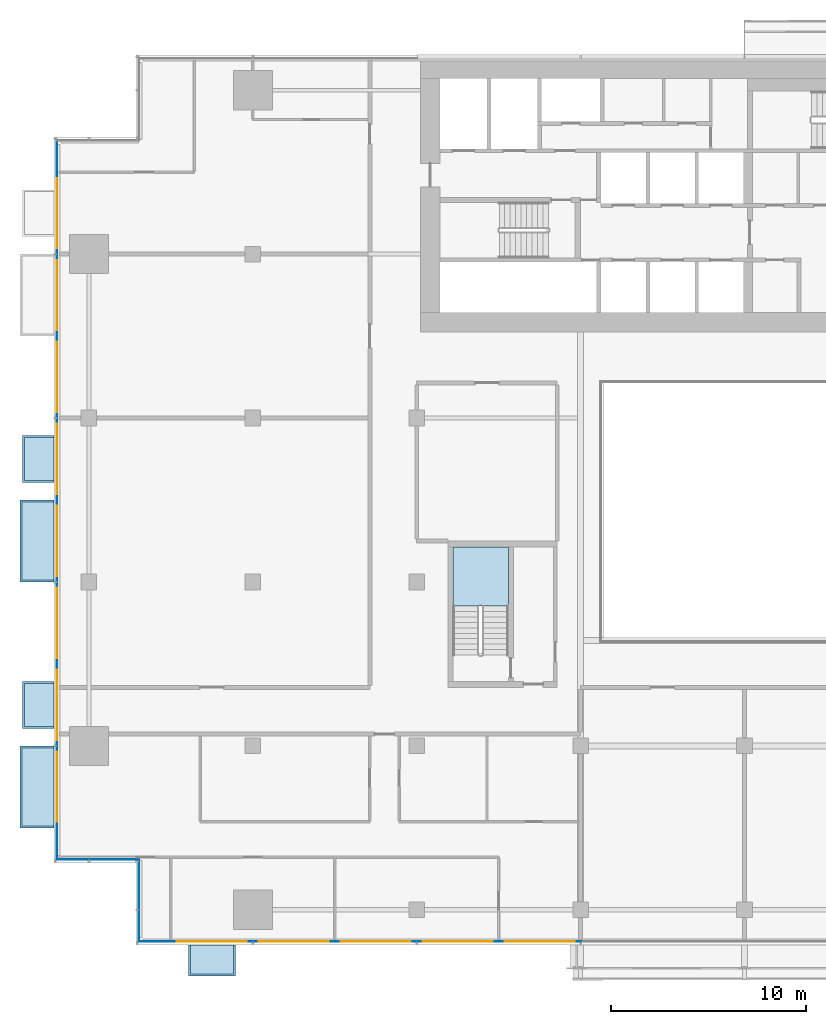
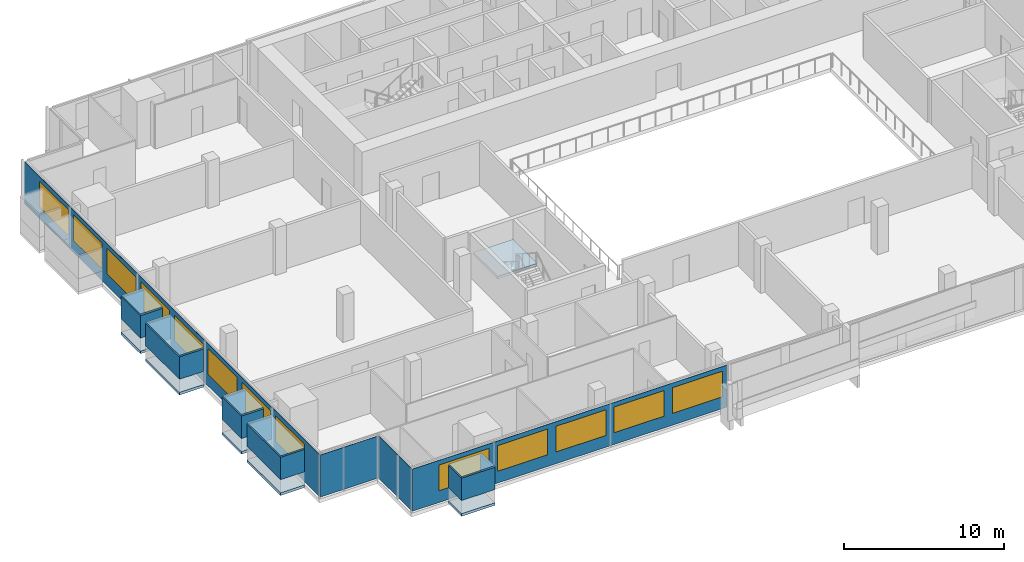
# One storey, part 14 of 26: 14 plates, 13 windows, 6 slabs, 13 openings, 5 elements without a shape of their own.
"""IFC4 building model written with IfcOpenShell, lengths in metres."""

from ifc_helpers import new_model, si_unit, direction, frame, frame_2d, origin, place, context, subcontext, project, spatial, polyline, rectangle, outline, extrude, material, layer, layer_set, type_object, element, fill, aggregate, save


model = new_model("IFC4")

# Units and contexts
model_context = context("Model", 3, precision=1e-05, world=origin(), true_north=direction((0.0, 1.0)))
body_context = subcontext(model_context, "Body", "Model", "MODEL_VIEW")
ifc_project = project(units=[si_unit("LENGTHUNIT", "METRE"), si_unit("AREAUNIT", "SQUARE_METRE"), si_unit("VOLUMEUNIT", "CUBIC_METRE"), si_unit("PLANEANGLEUNIT", "RADIAN"), si_unit("MASSUNIT", "GRAM", prefix="KILO")], contexts=[model_context])

# Site, building, storey
site_placement = place(None, origin())
site = spatial("IfcSite", under=ifc_project, at=site_placement, CompositionType="ELEMENT")
building_placement = place(site_placement, origin())
building = spatial("IfcBuilding", under=site, at=building_placement, Name="Saffron Gate Tower", CompositionType="ELEMENT")
storey_placement = place(building_placement, frame((0.0, 0.0, 98.85009765625)))
storey = spatial("IfcBuildingStorey", under=building, at=storey_placement, Name="L22", CompositionType="ELEMENT", Elevation=98.85009765625)

# Curtain wall, plate, openings, windows
ifc_material_1 = material(Name="Aluminium, bronze anodised", Category="aluminium")
curtain_wall_type_1 = type_object("IfcCurtainWallType", Name="CWS1 curtain wall front facade", PredefinedType="NOTDEFINED", material=ifc_material_1)
curtain_wall_1_placement = place(storey_placement, origin())
curtain_wall_1 = element("IfcCurtainWall", 1, at=curtain_wall_1_placement, inside=storey, type_object=curtain_wall_type_1, Name="CWS1 run 1", PredefinedType="NOTDEFINED")
ifc_material_2 = material(Name="Fritted bronze-tinted laminated glass", Category="glass")
ifc_layer_1 = layer(ifc_material_2, 0.028076171875)
ifc_layer_set_1 = layer_set([ifc_layer_1], Name="CWS1 fixed glass")
plate_type_1 = type_object("IfcPlateType", Name="CWS1 fixed glass", PredefinedType="CURTAIN_PANEL", material=ifc_layer_set_1)
plate_1_placement = place(storey_placement, frame((52.387939453125, 30.174072265625, 0.0), z_axis=(0.0, 0.0, 1.0), x_axis=(1.0, 0.0, 0.0)))
plate_1 = element("IfcPlate", 2, at=plate_1_placement, type_object=plate_type_1, Name="CWS1 glass panel", PredefinedType="CURTAIN_PANEL", context=body_context, shape_type="SweptSolid", body=[
    extrude(rectangle(XDim=22.64208984375, YDim=0.028076171875, at=frame_2d((11.321044921875, 0.0))), origin(), (0.0, 0.0, 1.0), 3.199951171875),
])
opening_1_placement = place(plate_1_placement, frame((1.912109375, 0.0, 0.89990234375)))
opening_1 = element("IfcOpeningElement", 3, at=opening_1_placement, cuts=plate_1, Name="Opening W1", PredefinedType="OPENING", context=body_context, shape_type="SweptSolid", body=[
    extrude(rectangle(XDim=3.60009765625, YDim=1.949951171875, at=frame_2d((1.800048828125, 0.97509765625))), frame((0.0, 0.02392578125, 0.0), z_axis=(0.0, -1.0, 0.0), x_axis=(1.0, 0.0, 0.0)), (0.0, 0.0, 1.0), 0.048095703125),
])
opening_2_placement = place(plate_1_placement, frame((6.112060546875, 0.0, 0.89990234375)))
opening_2 = element("IfcOpeningElement", 4, at=opening_2_placement, cuts=plate_1, Name="Opening W1", PredefinedType="OPENING", context=body_context, shape_type="SweptSolid", body=[
    extrude(rectangle(XDim=3.60009765625, YDim=1.949951171875, at=frame_2d((1.800048828125, 0.97509765625))), frame((0.0, 0.02392578125, 0.0), z_axis=(0.0, -1.0, 0.0), x_axis=(1.0, 0.0, 0.0)), (0.0, 0.0, 1.0), 0.048095703125),
])
opening_3_placement = place(plate_1_placement, frame((10.31201171875, 0.0, 0.89990234375)))
opening_3 = element("IfcOpeningElement", 5, at=opening_3_placement, cuts=plate_1, Name="Opening W1", PredefinedType="OPENING", context=body_context, shape_type="SweptSolid", body=[
    extrude(rectangle(XDim=3.60009765625, YDim=1.949951171875, at=frame_2d((1.800048828125, 0.97509765625))), frame((0.0, 0.02392578125, 0.0), z_axis=(0.0, -1.0, 0.0), x_axis=(1.0, 0.0, 0.0)), (0.0, 0.0, 1.0), 0.048095703125),
])
opening_4_placement = place(plate_1_placement, frame((14.511962890625, 0.0, 0.89990234375)))
opening_4 = element("IfcOpeningElement", 6, at=opening_4_placement, cuts=plate_1, Name="Opening W1", PredefinedType="OPENING", context=body_context, shape_type="SweptSolid", body=[
    extrude(rectangle(XDim=3.60009765625, YDim=1.949951171875, at=frame_2d((1.800048828125, 0.97509765625))), frame((0.0, 0.02392578125, 0.0), z_axis=(0.0, -1.0, 0.0), x_axis=(1.0, 0.0, 0.0)), (0.0, 0.0, 1.0), 0.048095703125),
])
opening_5_placement = place(plate_1_placement, frame((18.7119140625, 0.0, 0.89990234375)))
opening_5 = element("IfcOpeningElement", 7, at=opening_5_placement, cuts=plate_1, Name="Opening W1", PredefinedType="OPENING", context=body_context, shape_type="SweptSolid", body=[
    extrude(rectangle(XDim=3.60009765625, YDim=1.949951171875, at=frame_2d((1.800048828125, 0.97509765625))), frame((0.0, 0.02392578125, 0.0), z_axis=(0.0, -1.0, 0.0), x_axis=(1.0, 0.0, 0.0)), (0.0, 0.0, 1.0), 0.048095703125),
])
ifc_material_3 = material(Name="Fritted bronze-tinted laminated glass in bronze frame", Category="glass")
ifc_layer_2 = layer(ifc_material_3, 0.06005859375)
ifc_layer_set_2 = layer_set([ifc_layer_2], Name="W1 operable panel 3600x1950")
window_type = type_object("IfcWindowType", Name="W1 operable panel 3600x1950", PartitioningType="DOUBLE_PANEL_HORIZONTAL", PredefinedType="WINDOW", material=ifc_layer_set_2)
window_1_placement = place(opening_1_placement, origin())
window_1 = element("IfcWindow", 8, at=window_1_placement, type_object=window_type, Name="W1 operable panel", OverallHeight=1.949951171875, OverallWidth=3.60009765625, PartitioningType="SINGLE_PANEL", PredefinedType="WINDOW", context=body_context, shape_type="SweptSolid", body=[
    extrude(rectangle(XDim=3.60009765625, YDim=1.949951171875, at=frame_2d((1.800048828125, 0.97509765625))), frame((0.0, 0.013671875, 0.0), z_axis=(0.0, -1.0, 0.0), x_axis=(1.0, 0.0, 0.0)), (0.0, 0.0, 1.0), 0.027587890625),
])
fill(opening_1, window_1)
window_2_placement = place(opening_2_placement, origin())
window_2 = element("IfcWindow", 9, at=window_2_placement, type_object=window_type, Name="W1 operable panel", OverallHeight=1.949951171875, OverallWidth=3.60009765625, PartitioningType="SINGLE_PANEL", PredefinedType="WINDOW", context=body_context, shape_type="SweptSolid", body=[
    extrude(rectangle(XDim=3.60009765625, YDim=1.949951171875, at=frame_2d((1.800048828125, 0.97509765625))), frame((0.0, 0.013671875, 0.0), z_axis=(0.0, -1.0, 0.0), x_axis=(1.0, 0.0, 0.0)), (0.0, 0.0, 1.0), 0.027587890625),
])
fill(opening_2, window_2)
window_3_placement = place(opening_3_placement, origin())
window_3 = element("IfcWindow", 10, at=window_3_placement, type_object=window_type, Name="W1 operable panel", OverallHeight=1.949951171875, OverallWidth=3.60009765625, PartitioningType="SINGLE_PANEL", PredefinedType="WINDOW", context=body_context, shape_type="SweptSolid", body=[
    extrude(rectangle(XDim=3.60009765625, YDim=1.949951171875, at=frame_2d((1.800048828125, 0.97509765625))), frame((0.0, 0.013671875, 0.0), z_axis=(0.0, -1.0, 0.0), x_axis=(1.0, 0.0, 0.0)), (0.0, 0.0, 1.0), 0.027587890625),
])
fill(opening_3, window_3)
window_4_placement = place(opening_4_placement, origin())
window_4 = element("IfcWindow", 11, at=window_4_placement, type_object=window_type, Name="W1 operable panel", OverallHeight=1.949951171875, OverallWidth=3.60009765625, PartitioningType="SINGLE_PANEL", PredefinedType="WINDOW", context=body_context, shape_type="SweptSolid", body=[
    extrude(rectangle(XDim=3.60009765625, YDim=1.949951171875, at=frame_2d((1.800048828125, 0.97509765625))), frame((0.0, 0.013671875, 0.0), z_axis=(0.0, -1.0, 0.0), x_axis=(1.0, 0.0, 0.0)), (0.0, 0.0, 1.0), 0.027587890625),
])
fill(opening_4, window_4)
window_5_placement = place(opening_5_placement, origin())
window_5 = element("IfcWindow", 12, at=window_5_placement, type_object=window_type, Name="W1 operable panel", OverallHeight=1.949951171875, OverallWidth=3.60009765625, PartitioningType="SINGLE_PANEL", PredefinedType="WINDOW", context=body_context, shape_type="SweptSolid", body=[
    extrude(rectangle(XDim=3.60009765625, YDim=1.949951171875, at=frame_2d((1.800048828125, 0.97509765625))), frame((0.0, 0.013671875, 0.0), z_axis=(0.0, -1.0, 0.0), x_axis=(1.0, 0.0, 0.0)), (0.0, 0.0, 1.0), 0.027587890625),
])
fill(opening_5, window_5)
aggregate(curtain_wall_1, [plate_1, window_1, window_2, window_3, window_4, window_5])

curtain_wall_type_2 = type_object("IfcCurtainWallType", Name="CWS2 curtain wall side facades", PredefinedType="NOTDEFINED", material=ifc_material_1)
curtain_wall_2_placement = place(storey_placement, origin())
curtain_wall_2 = element("IfcCurtainWall", 13, at=curtain_wall_2_placement, inside=storey, type_object=curtain_wall_type_2, Name="CWS2 run 10", PredefinedType="NOTDEFINED")
ifc_layer_3 = layer(ifc_material_2, 0.028076171875)
ifc_layer_set_3 = layer_set([ifc_layer_3], Name="CWS2 fixed glass")
plate_type_2 = type_object("IfcPlateType", Name="CWS2 fixed glass", PredefinedType="CURTAIN_PANEL", material=ifc_layer_set_3)
plate_2_placement = place(storey_placement, frame((48.174072265625, 71.2119140625, 0.0), z_axis=(0.0, 0.0, 1.0), x_axis=(0.0, -1.0, 0.0)))
plate_2 = element("IfcPlate", 14, at=plate_2_placement, type_object=plate_type_2, Name="CWS2 glass panel", PredefinedType="CURTAIN_PANEL", context=body_context, shape_type="SweptSolid", body=[
    extrude(rectangle(XDim=36.823974609375, YDim=0.028076171875, at=frame_2d((18.412109375, 0.0))), origin(), (0.0, 0.0, 1.0), 3.199951171875),
])
opening_6_placement = place(plate_2_placement, frame((1.912109375, 0.0, 0.89990234375)))
opening_6 = element("IfcOpeningElement", 15, at=opening_6_placement, cuts=plate_2, Name="Opening W1", PredefinedType="OPENING", context=body_context, shape_type="SweptSolid", body=[
    extrude(rectangle(XDim=3.60009765625, YDim=1.949951171875, at=frame_2d((1.800048828125, 0.97509765625))), frame((0.0, 0.02392578125, 0.0), z_axis=(0.0, -1.0, 0.0), x_axis=(1.0, 0.0, 0.0)), (0.0, 0.0, 1.0), 0.048095703125),
])
opening_7_placement = place(plate_2_placement, frame((6.112060546875, 0.0, 0.89990234375)))
opening_7 = element("IfcOpeningElement", 16, at=opening_7_placement, cuts=plate_2, Name="Opening W1", PredefinedType="OPENING", context=body_context, shape_type="SweptSolid", body=[
    extrude(rectangle(XDim=3.60009765625, YDim=1.949951171875, at=frame_2d((1.800048828125, 0.97509765625))), frame((0.0, 0.02392578125, 0.0), z_axis=(0.0, -1.0, 0.0), x_axis=(1.0, 0.0, 0.0)), (0.0, 0.0, 1.0), 0.048095703125),
])
opening_8_placement = place(plate_2_placement, frame((10.31201171875, 0.0, 0.89990234375)))
opening_8 = element("IfcOpeningElement", 17, at=opening_8_placement, cuts=plate_2, Name="Opening W1", PredefinedType="OPENING", context=body_context, shape_type="SweptSolid", body=[
    extrude(rectangle(XDim=3.60009765625, YDim=1.949951171875, at=frame_2d((1.800048828125, 0.97509765625))), frame((0.0, 0.02392578125, 0.0), z_axis=(0.0, -1.0, 0.0), x_axis=(1.0, 0.0, 0.0)), (0.0, 0.0, 1.0), 0.048095703125),
])
opening_9_placement = place(plate_2_placement, frame((14.511962890625, 0.0, 0.89990234375)))
opening_9 = element("IfcOpeningElement", 18, at=opening_9_placement, cuts=plate_2, Name="Opening W1", PredefinedType="OPENING", context=body_context, shape_type="SweptSolid", body=[
    extrude(rectangle(XDim=3.60009765625, YDim=1.949951171875, at=frame_2d((1.800048828125, 0.97509765625))), frame((0.0, 0.02392578125, 0.0), z_axis=(0.0, -1.0, 0.0), x_axis=(1.0, 0.0, 0.0)), (0.0, 0.0, 1.0), 0.048095703125),
])
opening_10_placement = place(plate_2_placement, frame((18.7119140625, 0.0, 0.89990234375)))
opening_10 = element("IfcOpeningElement", 19, at=opening_10_placement, cuts=plate_2, Name="Opening W1", PredefinedType="OPENING", context=body_context, shape_type="SweptSolid", body=[
    extrude(rectangle(XDim=3.60009765625, YDim=1.949951171875, at=frame_2d((1.800048828125, 0.97509765625))), frame((0.0, 0.02392578125, 0.0), z_axis=(0.0, -1.0, 0.0), x_axis=(1.0, 0.0, 0.0)), (0.0, 0.0, 1.0), 0.048095703125),
])
opening_11_placement = place(plate_2_placement, frame((22.912109375, 0.0, 0.89990234375)))
opening_11 = element("IfcOpeningElement", 20, at=opening_11_placement, cuts=plate_2, Name="Opening W1", PredefinedType="OPENING", context=body_context, shape_type="SweptSolid", body=[
    extrude(rectangle(XDim=3.60009765625, YDim=1.949951171875, at=frame_2d((1.800048828125, 0.97509765625))), frame((0.0, 0.02392578125, 0.0), z_axis=(0.0, -1.0, 0.0), x_axis=(1.0, 0.0, 0.0)), (0.0, 0.0, 1.0), 0.048095703125),
])
opening_12_placement = place(plate_2_placement, frame((27.112060546875, 0.0, 0.89990234375)))
opening_12 = element("IfcOpeningElement", 21, at=opening_12_placement, cuts=plate_2, Name="Opening W1", PredefinedType="OPENING", context=body_context, shape_type="SweptSolid", body=[
    extrude(rectangle(XDim=3.60009765625, YDim=1.949951171875, at=frame_2d((1.800048828125, 0.97509765625))), frame((0.0, 0.02392578125, 0.0), z_axis=(0.0, -1.0, 0.0), x_axis=(1.0, 0.0, 0.0)), (0.0, 0.0, 1.0), 0.048095703125),
])
opening_13_placement = place(plate_2_placement, frame((31.31201171875, 0.0, 0.89990234375)))
opening_13 = element("IfcOpeningElement", 22, at=opening_13_placement, cuts=plate_2, Name="Opening W1", PredefinedType="OPENING", context=body_context, shape_type="SweptSolid", body=[
    extrude(rectangle(XDim=3.60009765625, YDim=1.949951171875, at=frame_2d((1.800048828125, 0.97509765625))), frame((0.0, 0.02392578125, 0.0), z_axis=(0.0, -1.0, 0.0), x_axis=(1.0, 0.0, 0.0)), (0.0, 0.0, 1.0), 0.048095703125),
])
window_6_placement = place(opening_6_placement, origin())
window_6 = element("IfcWindow", 23, at=window_6_placement, type_object=window_type, Name="W1 operable panel", OverallHeight=1.949951171875, OverallWidth=3.60009765625, PartitioningType="SINGLE_PANEL", PredefinedType="WINDOW", context=body_context, shape_type="SweptSolid", body=[
    extrude(rectangle(XDim=3.60009765625, YDim=1.949951171875, at=frame_2d((1.800048828125, 0.97509765625))), frame((0.0, 0.013671875, 0.0), z_axis=(0.0, -1.0, 0.0), x_axis=(1.0, 0.0, 0.0)), (0.0, 0.0, 1.0), 0.027587890625),
])
fill(opening_6, window_6)
window_7_placement = place(opening_7_placement, origin())
window_7 = element("IfcWindow", 24, at=window_7_placement, type_object=window_type, Name="W1 operable panel", OverallHeight=1.949951171875, OverallWidth=3.60009765625, PartitioningType="SINGLE_PANEL", PredefinedType="WINDOW", context=body_context, shape_type="SweptSolid", body=[
    extrude(rectangle(XDim=3.60009765625, YDim=1.949951171875, at=frame_2d((1.800048828125, 0.97509765625))), frame((0.0, 0.013671875, 0.0), z_axis=(0.0, -1.0, 0.0), x_axis=(1.0, 0.0, 0.0)), (0.0, 0.0, 1.0), 0.027587890625),
])
fill(opening_7, window_7)
window_8_placement = place(opening_8_placement, origin())
window_8 = element("IfcWindow", 25, at=window_8_placement, type_object=window_type, Name="W1 operable panel", OverallHeight=1.949951171875, OverallWidth=3.60009765625, PartitioningType="SINGLE_PANEL", PredefinedType="WINDOW", context=body_context, shape_type="SweptSolid", body=[
    extrude(rectangle(XDim=3.60009765625, YDim=1.949951171875, at=frame_2d((1.800048828125, 0.97509765625))), frame((0.0, 0.013671875, 0.0), z_axis=(0.0, -1.0, 0.0), x_axis=(1.0, 0.0, 0.0)), (0.0, 0.0, 1.0), 0.027587890625),
])
fill(opening_8, window_8)
window_9_placement = place(opening_9_placement, origin())
window_9 = element("IfcWindow", 26, at=window_9_placement, type_object=window_type, Name="W1 operable panel", OverallHeight=1.949951171875, OverallWidth=3.60009765625, PartitioningType="SINGLE_PANEL", PredefinedType="WINDOW", context=body_context, shape_type="SweptSolid", body=[
    extrude(rectangle(XDim=3.60009765625, YDim=1.949951171875, at=frame_2d((1.800048828125, 0.97509765625))), frame((0.0, 0.013671875, 0.0), z_axis=(0.0, -1.0, 0.0), x_axis=(1.0, 0.0, 0.0)), (0.0, 0.0, 1.0), 0.027587890625),
])
fill(opening_9, window_9)
window_10_placement = place(opening_10_placement, origin())
window_10 = element("IfcWindow", 27, at=window_10_placement, type_object=window_type, Name="W1 operable panel", OverallHeight=1.949951171875, OverallWidth=3.60009765625, PartitioningType="SINGLE_PANEL", PredefinedType="WINDOW", context=body_context, shape_type="SweptSolid", body=[
    extrude(rectangle(XDim=3.60009765625, YDim=1.949951171875, at=frame_2d((1.800048828125, 0.97509765625))), frame((0.0, 0.013671875, 0.0), z_axis=(0.0, -1.0, 0.0), x_axis=(1.0, 0.0, 0.0)), (0.0, 0.0, 1.0), 0.027587890625),
])
fill(opening_10, window_10)
window_11_placement = place(opening_11_placement, origin())
window_11 = element("IfcWindow", 28, at=window_11_placement, type_object=window_type, Name="W1 operable panel", OverallHeight=1.949951171875, OverallWidth=3.60009765625, PartitioningType="SINGLE_PANEL", PredefinedType="WINDOW", context=body_context, shape_type="SweptSolid", body=[
    extrude(rectangle(XDim=3.60009765625, YDim=1.949951171875, at=frame_2d((1.800048828125, 0.97509765625))), frame((0.0, 0.013671875, 0.0), z_axis=(0.0, -1.0, 0.0), x_axis=(1.0, 0.0, 0.0)), (0.0, 0.0, 1.0), 0.027587890625),
])
fill(opening_11, window_11)
window_12_placement = place(opening_12_placement, origin())
window_12 = element("IfcWindow", 29, at=window_12_placement, type_object=window_type, Name="W1 operable panel", OverallHeight=1.949951171875, OverallWidth=3.60009765625, PartitioningType="SINGLE_PANEL", PredefinedType="WINDOW", context=body_context, shape_type="SweptSolid", body=[
    extrude(rectangle(XDim=3.60009765625, YDim=1.949951171875, at=frame_2d((1.800048828125, 0.97509765625))), frame((0.0, 0.013671875, 0.0), z_axis=(0.0, -1.0, 0.0), x_axis=(1.0, 0.0, 0.0)), (0.0, 0.0, 1.0), 0.027587890625),
])
fill(opening_12, window_12)
window_13_placement = place(opening_13_placement, origin())
window_13 = element("IfcWindow", 30, at=window_13_placement, type_object=window_type, Name="W1 operable panel", OverallHeight=1.949951171875, OverallWidth=3.60009765625, PartitioningType="SINGLE_PANEL", PredefinedType="WINDOW", context=body_context, shape_type="SweptSolid", body=[
    extrude(rectangle(XDim=3.60009765625, YDim=1.949951171875, at=frame_2d((1.800048828125, 0.97509765625))), frame((0.0, 0.013671875, 0.0), z_axis=(0.0, -1.0, 0.0), x_axis=(1.0, 0.0, 0.0)), (0.0, 0.0, 1.0), 0.027587890625),
])
fill(opening_13, window_13)
aggregate(curtain_wall_2, [plate_2, window_6, window_7, window_8, window_9, window_10, window_11, window_12, window_13])

# Curtain wall, plate
curtain_wall_type_3 = type_object("IfcCurtainWallType", Name="CWS4 curtain wall corner returns", PredefinedType="NOTDEFINED", material=ifc_material_1)
curtain_wall_3_placement = place(storey_placement, origin())
curtain_wall_3 = element("IfcCurtainWall", 31, at=curtain_wall_3_placement, inside=storey, type_object=curtain_wall_type_3, Name="CWS4 run 11", PredefinedType="NOTDEFINED")
ifc_layer_4 = layer(ifc_material_2, 0.028076171875)
ifc_layer_set_4 = layer_set([ifc_layer_4], Name="CWS4 fixed glass")
plate_type_3 = type_object("IfcPlateType", Name="CWS4 fixed glass", PredefinedType="CURTAIN_PANEL", material=ifc_layer_set_4)
plate_3_placement = place(storey_placement, frame((48.18798828125, 34.3740234375, 0.0), z_axis=(0.0, 0.0, 1.0), x_axis=(1.0, 0.0, 0.0)))
plate_3 = element("IfcPlate", 32, at=plate_3_placement, type_object=plate_type_3, Name="CWS4 glass panel", PredefinedType="CURTAIN_PANEL", context=body_context, shape_type="SweptSolid", body=[
    extrude(rectangle(XDim=4.172119140625, YDim=0.028076171875, at=frame_2d((2.0859375, 0.0))), origin(), (0.0, 0.0, 1.0), 3.199951171875),
])
aggregate(curtain_wall_3, [plate_3])

curtain_wall_4_placement = place(storey_placement, origin())
curtain_wall_4 = element("IfcCurtainWall", 33, at=curtain_wall_4_placement, inside=storey, type_object=curtain_wall_type_3, Name="CWS4 run 12", PredefinedType="NOTDEFINED")
plate_4_placement = place(storey_placement, frame((52.3740234375, 34.360107421875, 0.0), z_axis=(0.0, 0.0, 1.0), x_axis=(0.0, -1.0, 0.0)))
plate_4 = element("IfcPlate", 34, at=plate_4_placement, type_object=plate_type_3, Name="CWS4 glass panel", PredefinedType="CURTAIN_PANEL", context=body_context, shape_type="SweptSolid", body=[
    extrude(rectangle(XDim=4.172119140625, YDim=0.028076171875, at=frame_2d((2.0859375, 0.0))), origin(), (0.0, 0.0, 1.0), 3.199951171875),
])
aggregate(curtain_wall_4, [plate_4])

# Stair, slab
ifc_material_4 = material(Name="Concrete C40", Category="concrete")
stair_type = type_object("IfcStairType", Name="ST7 Stair 1350 wide, 20 risers of 180", PredefinedType="HALF_TURN_STAIR", material=ifc_material_4)
stair_placement = place(storey_placement, origin())
stair = element("IfcStair", 35, at=stair_placement, inside=storey, type_object=stair_type, Name="L22 Exit stair D", PredefinedType="HALF_TURN_STAIR")
ifc_layer_5 = layer(ifc_material_4, 0.199951171875)
ifc_layer_set_5 = layer_set([ifc_layer_5], Name="SL1 Stair landing 200")
slab_type_1 = type_object("IfcSlabType", Name="SL1 Stair landing 200", PredefinedType="LANDING", material=ifc_layer_set_5)
slab_1_placement = place(storey_placement, frame((0.0, 0.0, 1.599853515625)))
slab_1 = element("IfcSlab", 36, at=slab_1_placement, type_object=slab_type_1, Name="ST-D landing 1", PredefinedType="LANDING", context=body_context, shape_type="SweptSolid", body=[
    extrude(outline(polyline([(71.300048828125, 47.3701171875), (71.300048828125, 50.39990234375), (68.449951171875, 50.39990234375), (68.449951171875, 47.3701171875), (71.300048828125, 47.3701171875)])), origin(), (0.0, 0.0, 1.0), 0.199951171875),
])
aggregate(stair, [slab_1])

# Slabs
ifc_material_5 = material(Name="Timber deck on bronze frame", Category="wood")
ifc_layer_6 = layer(ifc_material_5, 0.199951171875)
ifc_layer_set_6 = layer_set([ifc_layer_6], Name="WB1 box floor")
slab_type_2 = type_object("IfcSlabType", Name="WB1 box floor", PredefinedType="FLOOR", material=ifc_layer_set_6)
slab_2_placement = place(storey_placement, frame((0.0, 0.0, -0.2001953125)))
element("IfcSlab", 37, at=slab_2_placement, inside=storey, type_object=slab_type_2, Name="WINDOW BOX floor", PredefinedType="FLOOR", context=body_context, shape_type="SweptSolid", body=[
    extrude(outline(polyline([(54.89990234375, 30.0), (57.300048828125, 30.0), (57.300048828125, 28.39990234375), (54.89990234375, 28.39990234375), (54.89990234375, 30.0)])), origin(), (0.0, 0.0, 1.0), 0.2001953125),
])
slab_3_placement = place(storey_placement, frame((0.0, 0.0, -0.2001953125)))
element("IfcSlab", 38, at=slab_3_placement, inside=storey, type_object=slab_type_2, Name="WINDOW BOX floor", PredefinedType="FLOOR", context=body_context, shape_type="SweptSolid", body=[
    extrude(outline(polyline([(48.0, 56.10009765625), (48.0, 53.699951171875), (46.39990234375, 53.699951171875), (46.39990234375, 56.10009765625), (48.0, 56.10009765625)])), origin(), (0.0, 0.0, 1.0), 0.2001953125),
])
slab_4_placement = place(storey_placement, frame((0.0, 0.0, -0.2001953125)))
element("IfcSlab", 39, at=slab_4_placement, inside=storey, type_object=slab_type_2, Name="WINDOW BOX floor", PredefinedType="FLOOR", context=body_context, shape_type="SweptSolid", body=[
    extrude(outline(polyline([(48.0, 52.800048828125), (48.0, 48.60009765625), (46.26708984375, 48.60009765625), (46.26708984375, 52.800048828125), (48.0, 52.800048828125)])), origin(), (0.0, 0.0, 1.0), 0.2001953125),
])
slab_5_placement = place(storey_placement, frame((0.0, 0.0, -0.2001953125)))
element("IfcSlab", 40, at=slab_5_placement, inside=storey, type_object=slab_type_2, Name="WINDOW BOX floor", PredefinedType="FLOOR", context=body_context, shape_type="SweptSolid", body=[
    extrude(outline(polyline([(48.0, 43.5), (48.0, 41.10009765625), (46.39990234375, 41.10009765625), (46.39990234375, 43.5), (48.0, 43.5)])), origin(), (0.0, 0.0, 1.0), 0.2001953125),
])
slab_6_placement = place(storey_placement, frame((0.0, 0.0, -0.2001953125)))
element("IfcSlab", 41, at=slab_6_placement, inside=storey, type_object=slab_type_2, Name="WINDOW BOX floor", PredefinedType="FLOOR", context=body_context, shape_type="SweptSolid", body=[
    extrude(outline(polyline([(48.0, 40.199951171875), (48.0, 36.0), (46.26708984375, 36.0), (46.26708984375, 40.199951171875), (48.0, 40.199951171875)])), origin(), (0.0, 0.0, 1.0), 0.2001953125),
])

# Plates
ifc_layer_7 = layer(ifc_material_1, 0.1201171875)
ifc_layer_set_7 = layer_set([ifc_layer_7], Name="WB2 box roof")
plate_type_4 = type_object("IfcPlateType", Name="WB2 box roof", PredefinedType="SHEET", material=ifc_layer_set_7)
plate_5_placement = place(storey_placement, frame((0.0, 0.0, 2.699951171875)))
element("IfcPlate", 42, at=plate_5_placement, inside=storey, type_object=plate_type_4, Name="WINDOW BOX roof", PredefinedType="SHEET", context=body_context, shape_type="SweptSolid", body=[
    extrude(outline(polyline([(54.89990234375, 30.0), (57.300048828125, 30.0), (57.300048828125, 28.39990234375), (54.89990234375, 28.39990234375), (54.89990234375, 30.0)])), origin(), (0.0, 0.0, 1.0), 0.119873046875),
])
plate_6_placement = place(storey_placement, frame((0.0, 0.0, 2.699951171875)))
element("IfcPlate", 43, at=plate_6_placement, inside=storey, type_object=plate_type_4, Name="WINDOW BOX roof", PredefinedType="SHEET", context=body_context, shape_type="SweptSolid", body=[
    extrude(outline(polyline([(48.0, 56.10009765625), (48.0, 53.699951171875), (46.39990234375, 53.699951171875), (46.39990234375, 56.10009765625), (48.0, 56.10009765625)])), origin(), (0.0, 0.0, 1.0), 0.119873046875),
])
plate_7_placement = place(storey_placement, frame((0.0, 0.0, 2.699951171875)))
element("IfcPlate", 44, at=plate_7_placement, inside=storey, type_object=plate_type_4, Name="WINDOW BOX roof", PredefinedType="SHEET", context=body_context, shape_type="SweptSolid", body=[
    extrude(outline(polyline([(48.0, 52.800048828125), (48.0, 48.60009765625), (46.26708984375, 48.60009765625), (46.26708984375, 52.800048828125), (48.0, 52.800048828125)])), origin(), (0.0, 0.0, 1.0), 0.119873046875),
])
plate_8_placement = place(storey_placement, frame((0.0, 0.0, 2.699951171875)))
element("IfcPlate", 45, at=plate_8_placement, inside=storey, type_object=plate_type_4, Name="WINDOW BOX roof", PredefinedType="SHEET", context=body_context, shape_type="SweptSolid", body=[
    extrude(outline(polyline([(48.0, 43.5), (48.0, 41.10009765625), (46.39990234375, 41.10009765625), (46.39990234375, 43.5), (48.0, 43.5)])), origin(), (0.0, 0.0, 1.0), 0.119873046875),
])
plate_9_placement = place(storey_placement, frame((0.0, 0.0, 2.699951171875)))
element("IfcPlate", 46, at=plate_9_placement, inside=storey, type_object=plate_type_4, Name="WINDOW BOX roof", PredefinedType="SHEET", context=body_context, shape_type="SweptSolid", body=[
    extrude(outline(polyline([(48.0, 40.199951171875), (48.0, 36.0), (46.26708984375, 36.0), (46.26708984375, 40.199951171875), (48.0, 40.199951171875)])), origin(), (0.0, 0.0, 1.0), 0.119873046875),
])
ifc_material_6 = material(Name="Clear low-iron laminated glass", Category="glass")
ifc_layer_8 = layer(ifc_material_6, 0.10009765625)
ifc_layer_set_8 = layer_set([ifc_layer_8], Name="WB6 box glazing")
plate_type_5 = type_object("IfcPlateType", Name="WB6 box glazing", PredefinedType="SHEET", material=ifc_layer_set_8)
plate_10_placement = place(storey_placement, frame((0.0, 0.0, 1.0)))
element("IfcPlate", 47, at=plate_10_placement, inside=storey, type_object=plate_type_5, Name="WINDOW BOX glazing", PredefinedType="SHEET", context=body_context, shape_type="SweptSolid", body=[
    extrude(outline(polyline([(54.89990234375, 30.0), (55.0, 30.0), (55.0, 28.5), (57.199951171875, 28.5), (57.199951171875, 30.0), (57.300048828125, 30.0), (57.300048828125, 28.39990234375), (54.89990234375, 28.39990234375), (54.89990234375, 30.0)])), origin(), (0.0, 0.0, 1.0), 1.699951171875),
])
plate_11_placement = place(storey_placement, frame((0.0, 0.0, 1.0)))
element("IfcPlate", 48, at=plate_11_placement, inside=storey, type_object=plate_type_5, Name="WINDOW BOX glazing", PredefinedType="SHEET", context=body_context, shape_type="SweptSolid", body=[
    extrude(outline(polyline([(48.0, 56.10009765625), (48.0, 56.0), (46.5, 56.0), (46.5, 53.800048828125), (48.0, 53.800048828125), (48.0, 53.699951171875), (46.39990234375, 53.699951171875), (46.39990234375, 56.10009765625), (48.0, 56.10009765625)])), origin(), (0.0, 0.0, 1.0), 1.699951171875),
])
plate_12_placement = place(storey_placement, frame((0.0, 0.0, 1.0)))
element("IfcPlate", 49, at=plate_12_placement, inside=storey, type_object=plate_type_5, Name="WINDOW BOX glazing", PredefinedType="SHEET", context=body_context, shape_type="SweptSolid", body=[
    extrude(outline(polyline([(48.0, 52.800048828125), (48.0, 52.699951171875), (46.366943359375, 52.699951171875), (46.366943359375, 48.699951171875), (48.0, 48.699951171875), (48.0, 48.60009765625), (46.26708984375, 48.60009765625), (46.26708984375, 52.800048828125), (48.0, 52.800048828125)])), origin(), (0.0, 0.0, 1.0), 1.699951171875),
])
plate_13_placement = place(storey_placement, frame((0.0, 0.0, 1.0)))
element("IfcPlate", 50, at=plate_13_placement, inside=storey, type_object=plate_type_5, Name="WINDOW BOX glazing", PredefinedType="SHEET", context=body_context, shape_type="SweptSolid", body=[
    extrude(outline(polyline([(48.0, 43.5), (48.0, 43.39990234375), (46.5, 43.39990234375), (46.5, 41.199951171875), (48.0, 41.199951171875), (48.0, 41.10009765625), (46.39990234375, 41.10009765625), (46.39990234375, 43.5), (48.0, 43.5)])), origin(), (0.0, 0.0, 1.0), 1.699951171875),
])
plate_14_placement = place(storey_placement, frame((0.0, 0.0, 1.0)))
element("IfcPlate", 51, at=plate_14_placement, inside=storey, type_object=plate_type_5, Name="WINDOW BOX glazing", PredefinedType="SHEET", context=body_context, shape_type="SweptSolid", body=[
    extrude(outline(polyline([(48.0, 40.199951171875), (48.0, 40.10009765625), (46.366943359375, 40.10009765625), (46.366943359375, 36.10009765625), (48.0, 36.10009765625), (48.0, 36.0), (46.26708984375, 36.0), (46.26708984375, 40.199951171875), (48.0, 40.199951171875)])), origin(), (0.0, 0.0, 1.0), 1.699951171875),
])

save(model, "model.ifc")
